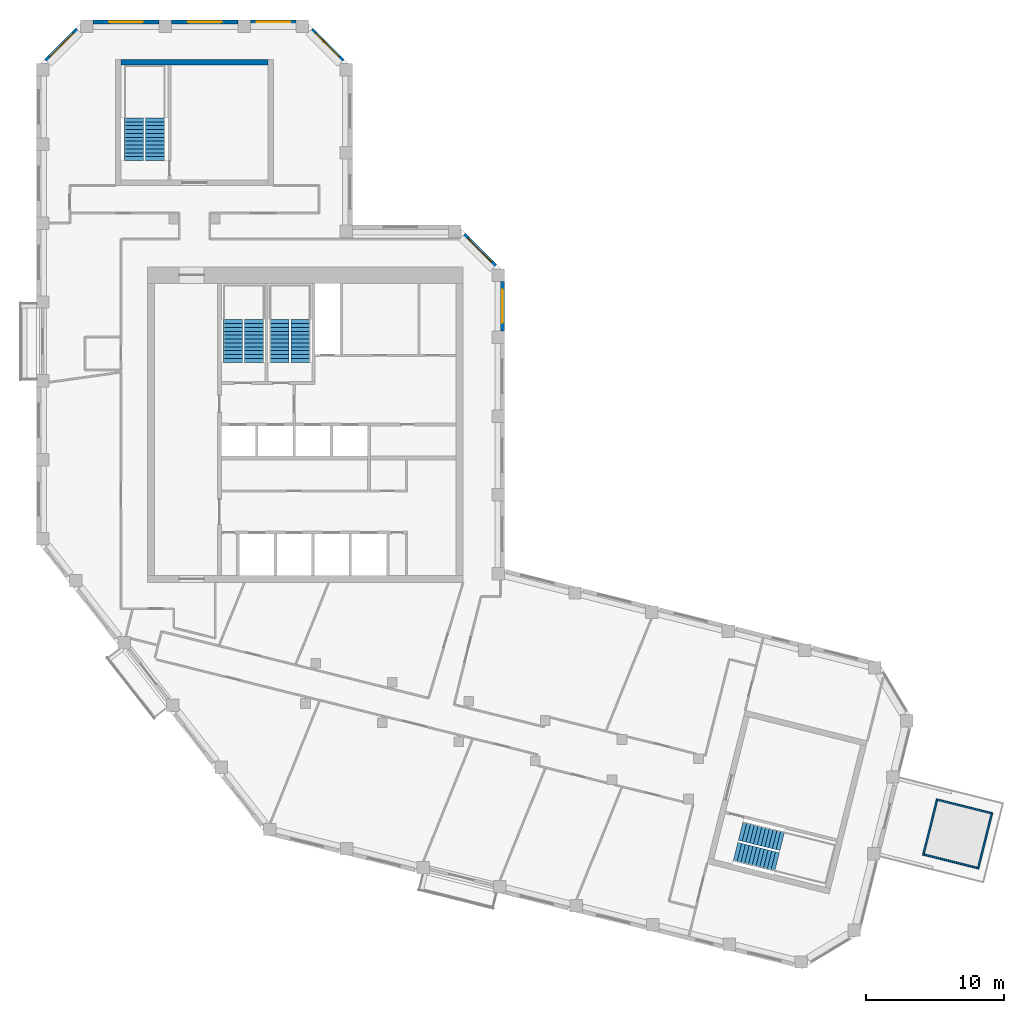
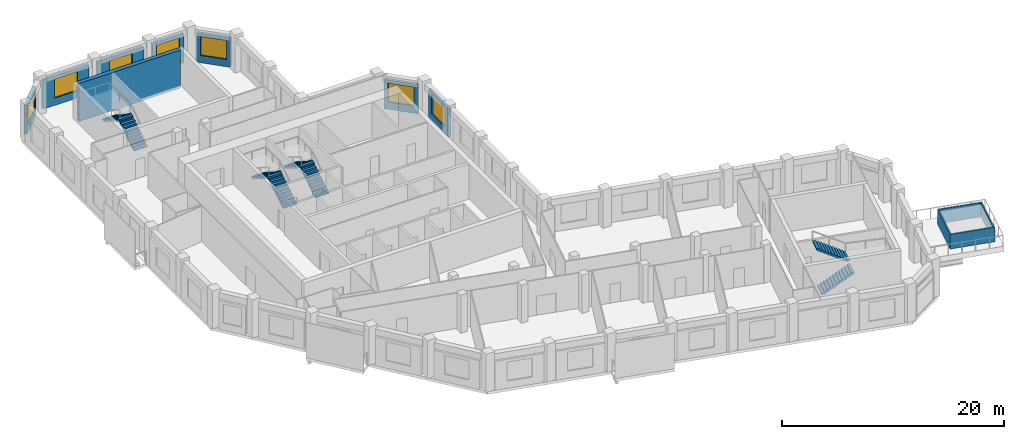
# One storey, part 11 of 13: 12 walls, 8 stair flights, 7 windows, 7 openings, 4 elements without a shape of their own.
"""IFC4 building model written with IfcOpenShell, lengths in metres."""

from ifc_helpers import new_model, si_unit, direction, frame, frame_2d, origin, place, context, subcontext, project, spatial, polyline, rectangle, outline, extrude, material, layer, layer_set, type_object, element, fill, aggregate, save


model = new_model("IFC4")

# Units and contexts
model_context = context("Model", 3, precision=1e-05, world=origin(), true_north=direction((0.0, 1.0)))
body_context = subcontext(model_context, "Body", "Model", "MODEL_VIEW")
ifc_project = project(units=[si_unit("LENGTHUNIT", "METRE"), si_unit("AREAUNIT", "SQUARE_METRE"), si_unit("VOLUMEUNIT", "CUBIC_METRE"), si_unit("PLANEANGLEUNIT", "RADIAN"), si_unit("MASSUNIT", "GRAM", prefix="KILO")], contexts=[model_context])

# Site, building, storey
site_placement = place(None, origin())
site = spatial("IfcSite", under=ifc_project, at=site_placement, CompositionType="ELEMENT")
building_placement = place(site_placement, origin())
building = spatial("IfcBuilding", under=site, at=building_placement, Name="Meshkara Civic Tower", CompositionType="ELEMENT")
storey_placement = place(building_placement, frame((0.0, 0.0, 383.39990234375)))
storey = spatial("IfcBuildingStorey", under=building, at=storey_placement, Name="L88", CompositionType="ELEMENT", Elevation=383.39990234375)

# Wall, opening, window
ifc_material_1 = material(Name="Insulated infill panel with bronze anodised aluminium cladding", Category="aluminium")
ifc_layer_1 = layer(ifc_material_1, 0.300048828125)
ifc_layer_set_1 = layer_set([ifc_layer_1], Name="EXTERNAL INFILL WALL 300")
wall_type_1 = type_object("IfcWallType", Name="EXTERNAL INFILL WALL 300", PredefinedType="SOLIDWALL", material=ifc_layer_set_1)
wall_1_placement = place(storey_placement, frame((33.64990234375, 32.26904296875, 0.0), z_axis=(0.0, 0.0, 1.0), x_axis=(0.0, 1.0, 0.0)))
wall_1 = element("IfcWall", 1, at=wall_1_placement, inside=storey, type_object=wall_type_1, Name="External wall", PredefinedType="SOLIDWALL", context=body_context, shape_type="SweptSolid", body=[
    extrude(rectangle(XDim=3.574951171875, YDim=0.300048828125, at=frame_2d((1.78759765625, 0.0))), origin(), (0.0, 0.0, 1.0), 3.2001953125),
])
opening_1_placement = place(wall_1_placement, frame((0.587890625, 0.0, 0.800048828125)))
opening_1 = element("IfcOpeningElement", 2, at=opening_1_placement, cuts=wall_1, Name="Opening W7", PredefinedType="OPENING", context=body_context, shape_type="SweptSolid", body=[
    extrude(rectangle(XDim=2.39990234375, YDim=2.10009765625, at=frame_2d((1.199951171875, 1.050048828125))), frame((0.0, 0.159912109375, 0.0), z_axis=(0.0, -1.0, 0.0), x_axis=(1.0, 0.0, 0.0)), (0.0, 0.0, 1.0), 0.320068359375),
])
ifc_material_2 = material(Name="Tinted double glazing", Category="glass")
window_type = type_object("IfcWindowType", Name="WINDOW 2400x2100", PartitioningType="DOUBLE_PANEL_VERTICAL", PredefinedType="WINDOW", material=ifc_material_2)
window_1_placement = place(opening_1_placement, origin())
window_1 = element("IfcWindow", 3, at=window_1_placement, inside=storey, type_object=window_type, Name="Window", OverallHeight=2.10009765625, OverallWidth=2.39990234375, PartitioningType="DOUBLE_PANEL_VERTICAL", PredefinedType="WINDOW", context=body_context, shape_type="SweptSolid", body=[
    extrude(rectangle(XDim=2.39990234375, YDim=2.10009765625, at=frame_2d((1.199951171875, 1.050048828125))), frame((0.0, 0.030029296875, 0.0), z_axis=(0.0, -1.0, 0.0), x_axis=(1.0, 0.0, 0.0)), (0.0, 0.0, 1.0), 0.06005859375),
])
fill(opening_1, window_1)

wall_2_placement = place(storey_placement, frame((33.112060546875, 36.9560546875, 0.0), z_axis=(0.0, 0.0, 1.0), x_axis=(-0.707145041435, 0.707068518868, 0.0)))
wall_2 = element("IfcWall", 4, at=wall_2_placement, inside=storey, type_object=wall_type_1, Name="External wall", PredefinedType="SOLIDWALL", context=body_context, shape_type="SweptSolid", body=[
    extrude(rectangle(XDim=3.1904296875, YDim=0.300048828125, at=frame_2d((1.59521484375, 0.0))), origin(), (0.0, 0.0, 1.0), 3.2001953125),
])
opening_2_placement = place(wall_2_placement, frame((0.39501953125, 0.0, 0.800048828125)))
opening_2 = element("IfcOpeningElement", 5, at=opening_2_placement, cuts=wall_2, Name="Opening W7", PredefinedType="OPENING", context=body_context, shape_type="SweptSolid", body=[
    extrude(rectangle(XDim=2.39990234375, YDim=2.10009765625, at=frame_2d((1.199951171875, 1.050048828125))), frame((0.0, 0.159912109375, 0.0), z_axis=(0.0, -1.0, 0.0), x_axis=(1.0, 0.0, 0.0)), (0.0, 0.0, 1.0), 0.320068359375),
])
window_2_placement = place(opening_2_placement, origin())
window_2 = element("IfcWindow", 6, at=window_2_placement, inside=storey, type_object=window_type, Name="Window", OverallHeight=2.10009765625, OverallWidth=2.39990234375, PartitioningType="DOUBLE_PANEL_VERTICAL", PredefinedType="WINDOW", context=body_context, shape_type="SweptSolid", body=[
    extrude(rectangle(XDim=2.39990234375, YDim=2.10009765625, at=frame_2d((1.199951171875, 1.050048828125))), frame((0.0, 0.030029296875, 0.0), z_axis=(0.0, -1.0, 0.0), x_axis=(1.0, 0.0, 0.0)), (0.0, 0.0, 1.0), 0.06005859375),
])
fill(opening_2, window_2)

wall_3_placement = place(storey_placement, frame((22.112060546875, 51.77587890625, 0.0), z_axis=(0.0, 0.0, 1.0), x_axis=(-0.707106781187, 0.707106781187, 0.0)))
wall_3 = element("IfcWall", 7, at=wall_3_placement, inside=storey, type_object=wall_type_1, Name="External wall", PredefinedType="SOLIDWALL", context=body_context, shape_type="SweptSolid", body=[
    extrude(rectangle(XDim=3.190673828125, YDim=0.300048828125, at=frame_2d((1.59521484375, 0.0))), origin(), (0.0, 0.0, 1.0), 3.2001953125),
])
opening_3_placement = place(wall_3_placement, frame((0.39501953125, 0.0, 0.800048828125)))
opening_3 = element("IfcOpeningElement", 8, at=opening_3_placement, cuts=wall_3, Name="Opening W7", PredefinedType="OPENING", context=body_context, shape_type="SweptSolid", body=[
    extrude(rectangle(XDim=2.39990234375, YDim=2.10009765625, at=frame_2d((1.199951171875, 1.050048828125))), frame((0.0, 0.159912109375, 0.0), z_axis=(0.0, -1.0, 0.0), x_axis=(1.0, 0.0, 0.0)), (0.0, 0.0, 1.0), 0.320068359375),
])
window_3_placement = place(opening_3_placement, origin())
window_3 = element("IfcWindow", 9, at=window_3_placement, inside=storey, type_object=window_type, Name="Window", OverallHeight=2.10009765625, OverallWidth=2.39990234375, PartitioningType="DOUBLE_PANEL_VERTICAL", PredefinedType="WINDOW", context=body_context, shape_type="SweptSolid", body=[
    extrude(rectangle(XDim=2.39990234375, YDim=2.10009765625, at=frame_2d((1.199951171875, 1.050048828125))), frame((0.0, 0.030029296875, 0.0), z_axis=(0.0, -1.0, 0.0), x_axis=(1.0, 0.0, 0.0)), (0.0, 0.0, 1.0), 0.06005859375),
])
fill(opening_3, window_3)

wall_4_placement = place(storey_placement, frame((18.743896484375, 54.570068359375, 0.0), z_axis=(0.0, 0.0, 1.0), x_axis=(-1.0, 0.0, 0.0)))
wall_4 = element("IfcWall", 10, at=wall_4_placement, inside=storey, type_object=wall_type_1, Name="External wall", PredefinedType="SOLIDWALL", context=body_context, shape_type="SweptSolid", body=[
    extrude(rectangle(XDim=3.287841796875, YDim=0.300048828125, at=frame_2d((1.64404296875, 0.0))), origin(), (0.0, 0.0, 1.0), 3.2001953125),
])
opening_4_placement = place(wall_4_placement, frame((0.444091796875, 0.0, 0.800048828125)))
opening_4 = element("IfcOpeningElement", 11, at=opening_4_placement, cuts=wall_4, Name="Opening W7", PredefinedType="OPENING", context=body_context, shape_type="SweptSolid", body=[
    extrude(rectangle(XDim=2.39990234375, YDim=2.10009765625, at=frame_2d((1.199951171875, 1.050048828125))), frame((0.0, 0.159912109375, 0.0), z_axis=(0.0, -1.0, 0.0), x_axis=(1.0, 0.0, 0.0)), (0.0, 0.0, 1.0), 0.320068359375),
])
window_4_placement = place(opening_4_placement, origin())
window_4 = element("IfcWindow", 12, at=window_4_placement, inside=storey, type_object=window_type, Name="Window", OverallHeight=2.10009765625, OverallWidth=2.39990234375, PartitioningType="DOUBLE_PANEL_VERTICAL", PredefinedType="WINDOW", context=body_context, shape_type="SweptSolid", body=[
    extrude(rectangle(XDim=2.39990234375, YDim=2.10009765625, at=frame_2d((1.199951171875, 1.050048828125))), frame((0.0, 0.030029296875, 0.0), z_axis=(0.0, -1.0, 0.0), x_axis=(1.0, 0.0, 0.0)), (0.0, 0.0, 1.0), 0.06005859375),
])
fill(opening_4, window_4)

wall_5_placement = place(storey_placement, frame((14.555908203125, 54.570068359375, 0.0), z_axis=(0.0, 0.0, 1.0), x_axis=(-1.0, 0.0, 0.0)))
wall_5 = element("IfcWall", 13, at=wall_5_placement, inside=storey, type_object=wall_type_1, Name="External wall", PredefinedType="SOLIDWALL", context=body_context, shape_type="SweptSolid", body=[
    extrude(rectangle(XDim=4.7998046875, YDim=0.300048828125, at=frame_2d((2.39990234375, 0.0))), origin(), (0.0, 0.0, 1.0), 3.2001953125),
])
opening_5_placement = place(wall_5_placement, frame((1.199951171875, 0.0, 0.800048828125)))
opening_5 = element("IfcOpeningElement", 14, at=opening_5_placement, cuts=wall_5, Name="Opening W7", PredefinedType="OPENING", context=body_context, shape_type="SweptSolid", body=[
    extrude(rectangle(XDim=2.39990234375, YDim=2.10009765625, at=frame_2d((1.199951171875, 1.050048828125))), frame((0.0, 0.159912109375, 0.0), z_axis=(0.0, -1.0, 0.0), x_axis=(1.0, 0.0, 0.0)), (0.0, 0.0, 1.0), 0.320068359375),
])
window_5_placement = place(opening_5_placement, origin())
window_5 = element("IfcWindow", 15, at=window_5_placement, inside=storey, type_object=window_type, Name="Window", OverallHeight=2.10009765625, OverallWidth=2.39990234375, PartitioningType="DOUBLE_PANEL_VERTICAL", PredefinedType="WINDOW", context=body_context, shape_type="SweptSolid", body=[
    extrude(rectangle(XDim=2.39990234375, YDim=2.10009765625, at=frame_2d((1.199951171875, 1.050048828125))), frame((0.0, 0.030029296875, 0.0), z_axis=(0.0, -1.0, 0.0), x_axis=(1.0, 0.0, 0.0)), (0.0, 0.0, 1.0), 0.06005859375),
])
fill(opening_5, window_5)

wall_6_placement = place(storey_placement, frame((8.85595703125, 54.570068359375, 0.0), z_axis=(0.0, 0.0, 1.0), x_axis=(-1.0, 0.0, 0.0)))
wall_6 = element("IfcWall", 16, at=wall_6_placement, inside=storey, type_object=wall_type_1, Name="External wall", PredefinedType="SOLIDWALL", context=body_context, shape_type="SweptSolid", body=[
    extrude(rectangle(XDim=4.800048828125, YDim=0.300048828125, at=frame_2d((2.39990234375, 0.0))), origin(), (0.0, 0.0, 1.0), 3.2001953125),
])
opening_6_placement = place(wall_6_placement, frame((1.199951171875, 0.0, 0.800048828125)))
opening_6 = element("IfcOpeningElement", 17, at=opening_6_placement, cuts=wall_6, Name="Opening W7", PredefinedType="OPENING", context=body_context, shape_type="SweptSolid", body=[
    extrude(rectangle(XDim=2.39990234375, YDim=2.10009765625, at=frame_2d((1.199951171875, 1.050048828125))), frame((0.0, 0.159912109375, 0.0), z_axis=(0.0, -1.0, 0.0), x_axis=(1.0, 0.0, 0.0)), (0.0, 0.0, 1.0), 0.320068359375),
])
window_6_placement = place(opening_6_placement, origin())
window_6 = element("IfcWindow", 18, at=window_6_placement, inside=storey, type_object=window_type, Name="Window", OverallHeight=2.10009765625, OverallWidth=2.39990234375, PartitioningType="DOUBLE_PANEL_VERTICAL", PredefinedType="WINDOW", context=body_context, shape_type="SweptSolid", body=[
    extrude(rectangle(XDim=2.39990234375, YDim=2.10009765625, at=frame_2d((1.199951171875, 1.050048828125))), frame((0.0, 0.030029296875, 0.0), z_axis=(0.0, -1.0, 0.0), x_axis=(1.0, 0.0, 0.0)), (0.0, 0.0, 1.0), 0.06005859375),
])
fill(opening_6, window_6)

wall_7_placement = place(storey_placement, frame((2.944091796875, 54.031982421875, 0.0), z_axis=(0.0, 0.0, 1.0), x_axis=(-0.707106781187, -0.707106781187, 0.0)))
wall_7 = element("IfcWall", 19, at=wall_7_placement, inside=storey, type_object=wall_type_1, Name="External wall", PredefinedType="SOLIDWALL", context=body_context, shape_type="SweptSolid", body=[
    extrude(rectangle(XDim=3.190673828125, YDim=0.300048828125, at=frame_2d((1.59521484375, 0.0))), origin(), (0.0, 0.0, 1.0), 3.2001953125),
])
opening_7_placement = place(wall_7_placement, frame((0.39501953125, 0.0, 0.800048828125)))
opening_7 = element("IfcOpeningElement", 20, at=opening_7_placement, cuts=wall_7, Name="Opening W7", PredefinedType="OPENING", context=body_context, shape_type="SweptSolid", body=[
    extrude(rectangle(XDim=2.39990234375, YDim=2.10009765625, at=frame_2d((1.199951171875, 1.050048828125))), frame((0.0, 0.159912109375, 0.0), z_axis=(0.0, -1.0, 0.0), x_axis=(1.0, 0.0, 0.0)), (0.0, 0.0, 1.0), 0.320068359375),
])
window_7_placement = place(opening_7_placement, origin())
window_7 = element("IfcWindow", 21, at=window_7_placement, inside=storey, type_object=window_type, Name="Window", OverallHeight=2.10009765625, OverallWidth=2.39990234375, PartitioningType="DOUBLE_PANEL_VERTICAL", PredefinedType="WINDOW", context=body_context, shape_type="SweptSolid", body=[
    extrude(rectangle(XDim=2.39990234375, YDim=2.10009765625, at=frame_2d((1.199951171875, 1.050048828125))), frame((0.0, 0.030029296875, 0.0), z_axis=(0.0, -1.0, 0.0), x_axis=(1.0, 0.0, 0.0)), (0.0, 0.0, 1.0), 0.06005859375),
])
fill(opening_7, window_7)

# Walls
ifc_material_3 = material(Name="Concrete C50", Category="concrete")
ifc_layer_2 = layer(ifc_material_3, 0.39990234375)
ifc_layer_set_2 = layer_set([ifc_layer_2], Name="End core ring wall 400 C50")
wall_type_2 = type_object("IfcWallType", Name="End core ring wall 400 C50", PredefinedType="SHEAR", material=ifc_layer_set_2)
wall_8_placement = place(storey_placement, frame((6.10009765625, 51.669921875, -0.2998046875), z_axis=(0.0, 0.0, 1.0), x_axis=(1.0, 0.0, 0.0)))
element("IfcWall", 22, at=wall_8_placement, inside=storey, type_object=wall_type_2, Name="L88-C030", PredefinedType="SHEAR", context=body_context, shape_type="SweptSolid", body=[
    extrude(rectangle(XDim=10.599853515625, YDim=0.39990234375, at=frame_2d((5.2998046875, 0.0))), origin(), (0.0, 0.0, 1.0), 4.199951171875),
])
ifc_material_4 = material(Name="Structural laminated glass", Category="glass")
ifc_layer_3 = layer(ifc_material_4, 0.1201171875)
ifc_layer_set_3 = layer_set([ifc_layer_3], Name="SKY POOL GLASS WALL 120")
wall_type_3 = type_object("IfcWallType", Name="SKY POOL GLASS WALL 120", PredefinedType="SOLIDWALL", material=ifc_layer_set_3)
wall_9_placement = place(storey_placement, frame((63.98388671875, -5.527099609375, 0.0), z_axis=(0.0, 0.0, 1.0), x_axis=(0.970306409839, -0.241879042136, 0.0)))
element("IfcWall", 23, at=wall_9_placement, inside=storey, type_object=wall_type_3, Name="Sky pool glass wall", PredefinedType="SOLIDWALL", context=body_context, shape_type="SweptSolid", body=[
    extrude(rectangle(XDim=4.199951171875, YDim=0.1201171875, at=frame_2d((2.10009765625, 0.0))), origin(), (0.0, 0.0, 1.0), 1.60009765625),
])
wall_10_placement = place(storey_placement, frame((64.970947265625, -1.568115234375, 0.0), z_axis=(0.0, 0.0, 1.0), x_axis=(0.970303008627, -0.241892685813, 0.0)))
element("IfcWall", 24, at=wall_10_placement, inside=storey, type_object=wall_type_3, Name="Sky pool glass wall", PredefinedType="SOLIDWALL", context=body_context, shape_type="SweptSolid", body=[
    extrude(rectangle(XDim=4.19970703125, YDim=0.1201171875, at=frame_2d((2.099853515625, 0.0))), origin(), (0.0, 0.0, 1.0), 1.60009765625),
])
wall_11_placement = place(storey_placement, frame((64.056884765625, -5.48291015625, 0.0), z_axis=(0.0, 0.0, 1.0), x_axis=(0.241955248852, 0.970287409767, 0.0)))
element("IfcWall", 25, at=wall_11_placement, inside=storey, type_object=wall_type_3, Name="Sky pool glass wall", PredefinedType="SOLIDWALL", context=body_context, shape_type="SweptSolid", body=[
    extrude(rectangle(XDim=3.95947265625, YDim=0.1201171875, at=frame_2d((1.979736328125, 0.0))), origin(), (0.0, 0.0, 1.0), 1.60009765625),
])
wall_12_placement = place(storey_placement, frame((68.014892578125, -6.469970703125, 0.0), z_axis=(0.0, 0.0, 1.0), x_axis=(0.241940773927, 0.970291019185, 0.0)))
element("IfcWall", 26, at=wall_12_placement, inside=storey, type_object=wall_type_3, Name="Sky pool glass wall", PredefinedType="SOLIDWALL", context=body_context, shape_type="SweptSolid", body=[
    extrude(rectangle(XDim=3.959716796875, YDim=0.1201171875, at=frame_2d((1.97998046875, 0.0))), origin(), (0.0, 0.0, 1.0), 1.60009765625),
])

# Stair, stair flights
ifc_material_5 = material(Name="Precast concrete C40/50", Category="concrete")
stair_type = type_object("IfcStairType", Name="Exit stair half-turn 24 risers precast", PredefinedType="HALF_TURN_STAIR", material=ifc_material_5)
stair_1_placement = place(storey_placement, origin())
stair_1 = element("IfcStair", 27, at=stair_1_placement, inside=storey, type_object=stair_type, Name="L88 exit stair 1", PredefinedType="HALF_TURN_STAIR")
ifc_material_6 = material(Name="Precast concrete C40/50", Category="concrete")
stair_flight_type = type_object("IfcStairFlightType", Name="Exit stair flight 12 risers precast", PredefinedType="STRAIGHT", material=ifc_material_6)
stair_flight_1_placement = place(storey_placement, frame((15.72509765625, 30.0, 0.0), z_axis=(0.0, 0.0, 1.0), x_axis=(0.0, 1.0, 0.0)))
stair_flight_1 = element("IfcStairFlight", 28, at=stair_flight_1_placement, type_object=stair_flight_type, Name="ST1 flight 1", NumberOfRisers=12, NumberOfTreads=11, PredefinedType="STRAIGHT", RiserHeight=0.175, TreadLength=0.28, context=body_context, shape_type="SweptSolid", body=[
    extrude(outline(polyline([(0.0, 0.0), (0.0, 0.175048828125), (0.280029296875, 0.175048828125), (0.280029296875, 0.35009765625), (0.56005859375, 0.35009765625), (0.56005859375, 0.52490234375), (0.840087890625, 0.52490234375), (0.840087890625, 0.699951171875), (1.1201171875, 0.699951171875), (1.1201171875, 0.875), (1.39990234375, 0.875), (1.39990234375, 1.050048828125), (1.679931640625, 1.050048828125), (1.679931640625, 1.22509765625), (1.9599609375, 1.22509765625), (1.9599609375, 1.39990234375), (2.239990234375, 1.39990234375), (2.239990234375, 1.574951171875), (2.52001953125, 1.574951171875), (2.52001953125, 1.75), (2.800048828125, 1.75), (2.800048828125, 1.925048828125), (3.080078125, 1.925048828125), (3.080078125, 2.10009765625), (3.080078125, 1.748291015625), (0.28271484375, 0.0), (0.0, 0.0)])), frame((0.0, 0.699951171875, 0.0), z_axis=(0.0, -1.0, 0.0), x_axis=(1.0, 0.0, 0.0)), (0.0, 0.0, 1.0), 1.39990234375),
])
stair_flight_2_placement = place(storey_placement, frame((14.175048828125, 33.080078125, 2.10009765625), z_axis=(0.0, 0.0, 1.0), x_axis=(0.0, -1.0, 0.0)))
stair_flight_2 = element("IfcStairFlight", 29, at=stair_flight_2_placement, type_object=stair_flight_type, Name="ST1 flight 2", NumberOfRisers=12, NumberOfTreads=11, PredefinedType="STRAIGHT", RiserHeight=0.175, TreadLength=0.28, context=body_context, shape_type="SweptSolid", body=[
    extrude(outline(polyline([(0.0, 0.0), (0.0, 0.175048828125), (0.280029296875, 0.175048828125), (0.280029296875, 0.35009765625), (0.56005859375, 0.35009765625), (0.56005859375, 0.52490234375), (0.840087890625, 0.52490234375), (0.840087890625, 0.699951171875), (1.1201171875, 0.699951171875), (1.1201171875, 0.875), (1.39990234375, 0.875), (1.39990234375, 1.050048828125), (1.679931640625, 1.050048828125), (1.679931640625, 1.22509765625), (1.9599609375, 1.22509765625), (1.9599609375, 1.39990234375), (2.239990234375, 1.39990234375), (2.239990234375, 1.574951171875), (2.52001953125, 1.574951171875), (2.52001953125, 1.75), (2.800048828125, 1.75), (2.800048828125, 1.925048828125), (3.080078125, 1.925048828125), (3.080078125, 2.10009765625), (3.080078125, 1.748291015625), (0.28271484375, 0.0), (0.0, 0.0)])), frame((0.0, 0.699951171875, 0.0), z_axis=(0.0, -1.0, 0.0), x_axis=(1.0, 0.0, 0.0)), (0.0, 0.0, 1.0), 1.39990234375),
])
aggregate(stair_1, [stair_flight_1, stair_flight_2])

stair_2_placement = place(storey_placement, origin())
stair_2 = element("IfcStair", 30, at=stair_2_placement, inside=storey, type_object=stair_type, Name="L88 exit stair 2", PredefinedType="HALF_TURN_STAIR")
stair_flight_3_placement = place(storey_placement, frame((19.074951171875, 30.0, 0.0), z_axis=(0.0, 0.0, 1.0), x_axis=(0.0, 1.0, 0.0)))
stair_flight_3 = element("IfcStairFlight", 31, at=stair_flight_3_placement, type_object=stair_flight_type, Name="ST2 flight 1", NumberOfRisers=12, NumberOfTreads=11, PredefinedType="STRAIGHT", RiserHeight=0.175, TreadLength=0.28, context=body_context, shape_type="SweptSolid", body=[
    extrude(outline(polyline([(0.0, 0.0), (0.0, 0.175048828125), (0.280029296875, 0.175048828125), (0.280029296875, 0.35009765625), (0.56005859375, 0.35009765625), (0.56005859375, 0.52490234375), (0.840087890625, 0.52490234375), (0.840087890625, 0.699951171875), (1.1201171875, 0.699951171875), (1.1201171875, 0.875), (1.39990234375, 0.875), (1.39990234375, 1.050048828125), (1.679931640625, 1.050048828125), (1.679931640625, 1.22509765625), (1.9599609375, 1.22509765625), (1.9599609375, 1.39990234375), (2.239990234375, 1.39990234375), (2.239990234375, 1.574951171875), (2.52001953125, 1.574951171875), (2.52001953125, 1.75), (2.800048828125, 1.75), (2.800048828125, 1.925048828125), (3.080078125, 1.925048828125), (3.080078125, 2.10009765625), (3.080078125, 1.748291015625), (0.28271484375, 0.0), (0.0, 0.0)])), frame((0.0, 0.699951171875, 0.0), z_axis=(0.0, -1.0, 0.0), x_axis=(1.0, 0.0, 0.0)), (0.0, 0.0, 1.0), 1.39990234375),
])
stair_flight_4_placement = place(storey_placement, frame((17.52490234375, 33.080078125, 2.10009765625), z_axis=(0.0, 0.0, 1.0), x_axis=(0.0, -1.0, 0.0)))
stair_flight_4 = element("IfcStairFlight", 32, at=stair_flight_4_placement, type_object=stair_flight_type, Name="ST2 flight 2", NumberOfRisers=12, NumberOfTreads=11, PredefinedType="STRAIGHT", RiserHeight=0.175, TreadLength=0.28, context=body_context, shape_type="SweptSolid", body=[
    extrude(outline(polyline([(0.0, 0.0), (0.0, 0.175048828125), (0.280029296875, 0.175048828125), (0.280029296875, 0.35009765625), (0.56005859375, 0.35009765625), (0.56005859375, 0.52490234375), (0.840087890625, 0.52490234375), (0.840087890625, 0.699951171875), (1.1201171875, 0.699951171875), (1.1201171875, 0.875), (1.39990234375, 0.875), (1.39990234375, 1.050048828125), (1.679931640625, 1.050048828125), (1.679931640625, 1.22509765625), (1.9599609375, 1.22509765625), (1.9599609375, 1.39990234375), (2.239990234375, 1.39990234375), (2.239990234375, 1.574951171875), (2.52001953125, 1.574951171875), (2.52001953125, 1.75), (2.800048828125, 1.75), (2.800048828125, 1.925048828125), (3.080078125, 1.925048828125), (3.080078125, 2.10009765625), (3.080078125, 1.748291015625), (0.28271484375, 0.0), (0.0, 0.0)])), frame((0.0, 0.699951171875, 0.0), z_axis=(0.0, -1.0, 0.0), x_axis=(1.0, 0.0, 0.0)), (0.0, 0.0, 1.0), 1.39990234375),
])
aggregate(stair_2, [stair_flight_3, stair_flight_4])

stair_3_placement = place(storey_placement, origin())
stair_3 = element("IfcStair", 33, at=stair_3_placement, inside=storey, type_object=stair_type, Name="L88 exit stair A from L80", PredefinedType="HALF_TURN_STAIR")
stair_flight_5_placement = place(storey_placement, frame((8.574951171875, 44.570068359375, 0.0), z_axis=(0.0, 0.0, 1.0), x_axis=(0.0, 1.0, 0.0)))
stair_flight_5 = element("IfcStairFlight", 34, at=stair_flight_5_placement, type_object=stair_flight_type, Name="ESA6 flight 1", NumberOfRisers=12, NumberOfTreads=11, PredefinedType="STRAIGHT", RiserHeight=0.175, TreadLength=0.28, context=body_context, shape_type="SweptSolid", body=[
    extrude(outline(polyline([(0.0, 0.0), (0.0, 0.175048828125), (0.280029296875, 0.175048828125), (0.280029296875, 0.35009765625), (0.56005859375, 0.35009765625), (0.56005859375, 0.52490234375), (0.840087890625, 0.52490234375), (0.840087890625, 0.699951171875), (1.1201171875, 0.699951171875), (1.1201171875, 0.875), (1.39990234375, 0.875), (1.39990234375, 1.050048828125), (1.679931640625, 1.050048828125), (1.679931640625, 1.22509765625), (1.9599609375, 1.22509765625), (1.9599609375, 1.39990234375), (2.239990234375, 1.39990234375), (2.239990234375, 1.574951171875), (2.52001953125, 1.574951171875), (2.52001953125, 1.75), (2.800048828125, 1.75), (2.800048828125, 1.925048828125), (3.080078125, 1.925048828125), (3.080078125, 2.10009765625), (3.080078125, 1.748291015625), (0.28271484375, 0.0), (0.0, 0.0)])), frame((0.0, 0.699951171875, 0.0), z_axis=(0.0, -1.0, 0.0), x_axis=(1.0, 0.0, 0.0)), (0.0, 0.0, 1.0), 1.39990234375),
])
stair_flight_6_placement = place(storey_placement, frame((7.02490234375, 47.64990234375, 2.10009765625), z_axis=(0.0, 0.0, 1.0), x_axis=(0.0, -1.0, 0.0)))
stair_flight_6 = element("IfcStairFlight", 35, at=stair_flight_6_placement, type_object=stair_flight_type, Name="ESA6 flight 2", NumberOfRisers=12, NumberOfTreads=11, PredefinedType="STRAIGHT", RiserHeight=0.175, TreadLength=0.28, context=body_context, shape_type="SweptSolid", body=[
    extrude(outline(polyline([(0.0, 0.0), (0.0, 0.175048828125), (0.280029296875, 0.175048828125), (0.280029296875, 0.35009765625), (0.56005859375, 0.35009765625), (0.56005859375, 0.52490234375), (0.840087890625, 0.52490234375), (0.840087890625, 0.699951171875), (1.1201171875, 0.699951171875), (1.1201171875, 0.875), (1.39990234375, 0.875), (1.39990234375, 1.050048828125), (1.679931640625, 1.050048828125), (1.679931640625, 1.22509765625), (1.9599609375, 1.22509765625), (1.9599609375, 1.39990234375), (2.239990234375, 1.39990234375), (2.239990234375, 1.574951171875), (2.52001953125, 1.574951171875), (2.52001953125, 1.75), (2.800048828125, 1.75), (2.800048828125, 1.925048828125), (3.080078125, 1.925048828125), (3.080078125, 2.10009765625), (3.080078125, 1.748291015625), (0.28271484375, 0.0), (0.0, 0.0)])), frame((0.0, 0.699951171875, 0.0), z_axis=(0.0, -1.0, 0.0), x_axis=(1.0, 0.0, 0.0)), (0.0, 0.0, 1.0), 1.39990234375),
])
aggregate(stair_3, [stair_flight_5, stair_flight_6])

stair_4_placement = place(storey_placement, origin())
stair_4 = element("IfcStair", 36, at=stair_4_placement, inside=storey, type_object=stair_type, Name="L88 exit stair B from L80", PredefinedType="HALF_TURN_STAIR")
stair_flight_7_placement = place(storey_placement, frame((50.47607421875, -5.344482421875, 0.0), z_axis=(0.0, 0.0, 1.0), x_axis=(0.9703185901, -0.241830175344, 0.0)))
stair_flight_7 = element("IfcStairFlight", 37, at=stair_flight_7_placement, type_object=stair_flight_type, Name="ESB6 flight 1", NumberOfRisers=12, NumberOfTreads=11, PredefinedType="STRAIGHT", RiserHeight=0.175, TreadLength=0.28, context=body_context, shape_type="SweptSolid", body=[
    extrude(outline(polyline([(0.0, 0.0), (0.0, 0.175048828125), (0.280029296875, 0.175048828125), (0.280029296875, 0.35009765625), (0.56005859375, 0.35009765625), (0.56005859375, 0.52490234375), (0.840087890625, 0.52490234375), (0.840087890625, 0.699951171875), (1.1201171875, 0.699951171875), (1.1201171875, 0.875), (1.39990234375, 0.875), (1.39990234375, 1.050048828125), (1.679931640625, 1.050048828125), (1.679931640625, 1.22509765625), (1.9599609375, 1.22509765625), (1.9599609375, 1.39990234375), (2.239990234375, 1.39990234375), (2.239990234375, 1.574951171875), (2.52001953125, 1.574951171875), (2.52001953125, 1.75), (2.800048828125, 1.75), (2.800048828125, 1.925048828125), (3.080078125, 1.925048828125), (3.080078125, 2.10009765625), (3.080078125, 1.748291015625), (0.28271484375, 0.0), (0.0, 0.0)])), frame((0.0, 0.699951171875, 0.0), z_axis=(0.0, -1.0, 0.0), x_axis=(1.0, 0.0, 0.0)), (0.0, 0.0, 1.0), 1.39990234375),
])
stair_flight_8_placement = place(storey_placement, frame((53.83935546875, -4.58544921875, 2.10009765625), z_axis=(0.0, 0.0, 1.0), x_axis=(-0.9703185901, 0.241830175344, 0.0)))
stair_flight_8 = element("IfcStairFlight", 38, at=stair_flight_8_placement, type_object=stair_flight_type, Name="ESB6 flight 2", NumberOfRisers=12, NumberOfTreads=11, PredefinedType="STRAIGHT", RiserHeight=0.175, TreadLength=0.28, context=body_context, shape_type="SweptSolid", body=[
    extrude(outline(polyline([(0.0, 0.0), (0.0, 0.175048828125), (0.280029296875, 0.175048828125), (0.280029296875, 0.35009765625), (0.56005859375, 0.35009765625), (0.56005859375, 0.52490234375), (0.840087890625, 0.52490234375), (0.840087890625, 0.699951171875), (1.1201171875, 0.699951171875), (1.1201171875, 0.875), (1.39990234375, 0.875), (1.39990234375, 1.050048828125), (1.679931640625, 1.050048828125), (1.679931640625, 1.22509765625), (1.9599609375, 1.22509765625), (1.9599609375, 1.39990234375), (2.239990234375, 1.39990234375), (2.239990234375, 1.574951171875), (2.52001953125, 1.574951171875), (2.52001953125, 1.75), (2.800048828125, 1.75), (2.800048828125, 1.925048828125), (3.080078125, 1.925048828125), (3.080078125, 2.10009765625), (3.080078125, 1.748291015625), (0.28271484375, 0.0), (0.0, 0.0)])), frame((0.0, 0.699951171875, 0.0), z_axis=(0.0, -1.0, 0.0), x_axis=(1.0, 0.0, 0.0)), (0.0, 0.0, 1.0), 1.39990234375),
])
aggregate(stair_4, [stair_flight_7, stair_flight_8])

save(model, "model.ifc")
